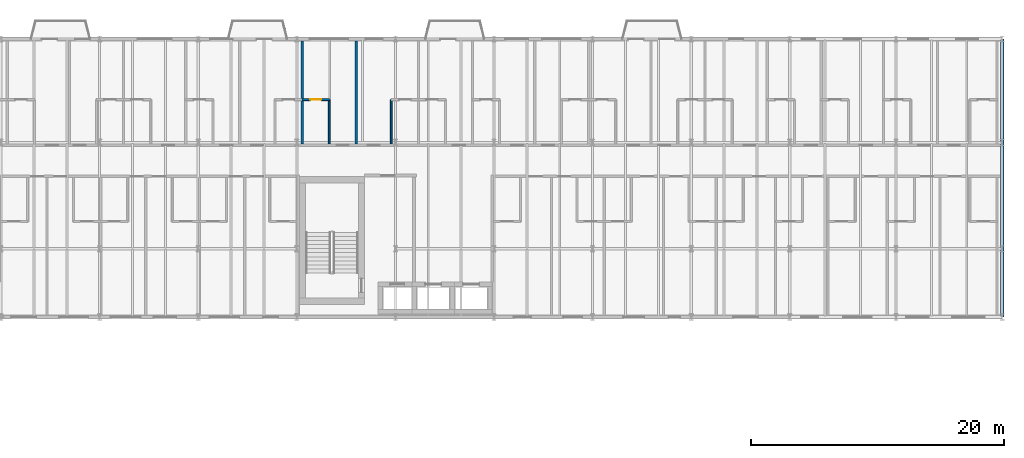
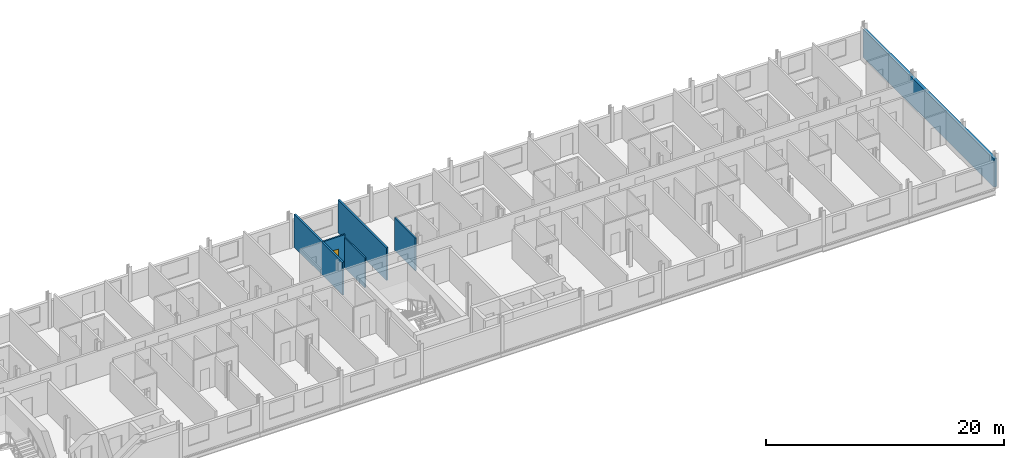
# One storey, part 28 of 34: 6 walls, 1 door, 1 opening.
"""IFC4 building model written with IfcOpenShell, lengths in metres."""

from ifc_helpers import new_model, si_unit, direction, frame, frame_2d, origin, place, context, subcontext, project, spatial, rectangle, extrude, material, layer, layer_set, type_object, element, fill, save


model = new_model("IFC4")

# Units and contexts
model_context = context("Model", 3, precision=1e-05, world=origin(), true_north=direction((0.0, 1.0)))
body_context = subcontext(model_context, "Body", "Model", "MODEL_VIEW")
ifc_project = project(units=[si_unit("LENGTHUNIT", "METRE"), si_unit("AREAUNIT", "SQUARE_METRE"), si_unit("VOLUMEUNIT", "CUBIC_METRE"), si_unit("PLANEANGLEUNIT", "RADIAN"), si_unit("MASSUNIT", "GRAM", prefix="KILO")], contexts=[model_context])

# Site, building, storey
site_placement = place(None, origin())
site = spatial("IfcSite", under=ifc_project, at=site_placement, CompositionType="ELEMENT")
building_placement = place(site_placement, origin())
building = spatial("IfcBuilding", under=site, at=building_placement, Name="Sefraquen Railside Congress Hotel", CompositionType="ELEMENT")
storey_placement = place(building_placement, frame((0.0, 0.0, 31.800048828125)))
storey = spatial("IfcBuildingStorey", under=building, at=storey_placement, Name="L07", CompositionType="ELEMENT", Elevation=31.800048828125)

# Walls
ifc_material_1 = material(Name="Ochre Rabat calcarenite limestone and Concrete C40/50 backing", Category="masonry")
ifc_layer_1 = layer(ifc_material_1, 0.280029296875)
ifc_layer_set_1 = layer_set([ifc_layer_1], Name="Ochre Rabat calcarenite limestone and Concrete C40/50 backing")
wall_type_1 = type_object("IfcWallType", Name="TW-EW-280", PredefinedType="STANDARD", material=ifc_layer_set_1)
wall_1_placement = place(storey_placement, frame((120.0, 96.0, 0.0), z_axis=(0.0, 0.0, 1.0), x_axis=(0.0, 1.0, 0.0)))
element("IfcWall", 1, at=wall_1_placement, inside=storey, type_object=wall_type_1, Name="Hotel L07 east gable facade wall", PredefinedType="STANDARD", context=body_context, shape_type="SweptSolid", body=[
    extrude(rectangle(XDim=22.0, YDim=0.280029296875, at=frame_2d((11.0, 0.0))), origin(), (0.0, 0.0, 1.0), 2.909912109375),
])
ifc_material_2 = material(Name="Moisture-resistant gypsum board", Category="gypsum")
ifc_layer_2 = layer(ifc_material_2, 0.139892578125)
ifc_layer_set_2 = layer_set([ifc_layer_2], Name="Moisture-resistant gypsum board")
wall_type_2 = type_object("IfcWallType", Name="TW-PW-140", PredefinedType="PARTITIONING", material=ifc_layer_set_2)
wall_2_placement = place(storey_placement, frame((66.77001953125, 109.699951171875, 0.0), z_axis=(0.0, 0.0, 1.0), x_axis=(0.0, 1.0, 0.0)))
element("IfcWall", 2, at=wall_2_placement, inside=storey, type_object=wall_type_2, Name="En-suite bathroom east wall RM-010", PredefinedType="PARTITIONING", context=body_context, shape_type="SweptSolid", body=[
    extrude(rectangle(XDim=3.5, YDim=0.139892578125, at=frame_2d((1.75, 0.0))), origin(), (0.0, 0.0, 1.0), 3.050048828125),
])

# Wall, opening, door
wall_3_placement = place(storey_placement, frame((64.6201171875, 113.199951171875, 0.0), z_axis=(0.0, 0.0, 1.0), x_axis=(1.0, 0.0, 0.0)))
wall_3 = element("IfcWall", 3, at=wall_3_placement, inside=storey, type_object=wall_type_2, Name="En-suite bathroom north wall RM-010", PredefinedType="PARTITIONING", context=body_context, shape_type="SweptSolid", body=[
    extrude(rectangle(XDim=2.14990234375, YDim=0.139892578125, at=frame_2d((1.074951171875, 0.0))), origin(), (0.0, 0.0, 1.0), 3.35986328125),
])
opening_placement = place(wall_3_placement, frame((0.625, 0.0, 0.0)))
opening = element("IfcOpeningElement", 4, at=opening_placement, cuts=wall_3, Name="Opening ID-02", PredefinedType="OPENING", context=body_context, shape_type="SweptSolid", body=[
    extrude(rectangle(XDim=0.89990234375, YDim=2.10009765625, at=frame_2d((0.449951171875, 1.050048828125))), frame((0.0, 0.079833984375, 0.0), z_axis=(0.0, -1.0, 0.0), x_axis=(1.0, 0.0, 0.0)), (0.0, 0.0, 1.0), 0.159912109375),
])
ifc_material_3 = material(Name="Lacquered cedar joinery", Category="wood")
door_type = type_object("IfcDoorType", Name="TD-ID-02", OperationType="NOTDEFINED", PredefinedType="DOOR", material=ifc_material_3)
door_placement = place(opening_placement, origin())
door = element("IfcDoor", 5, at=door_placement, inside=storey, type_object=door_type, Name="En-suite bathroom door RM-010", OperationType="SINGLE_SWING_LEFT", OverallHeight=2.10009765625, OverallWidth=0.89990234375, PredefinedType="DOOR", context=body_context, shape_type="SweptSolid", body=[
    extrude(rectangle(XDim=0.89990234375, YDim=2.10009765625, at=frame_2d((0.449951171875, 1.050048828125))), frame((0.0, 0.02490234375, 0.0), z_axis=(0.0, -1.0, 0.0), x_axis=(1.0, 0.0, 0.0)), (0.0, 0.0, 1.0), 0.050048828125),
])
fill(opening, door)

# Walls
wall_4_placement = place(storey_placement, frame((71.669921875, 109.699951171875, 0.0), z_axis=(0.0, 0.0, 1.0), x_axis=(0.0, 1.0, 0.0)))
element("IfcWall", 6, at=wall_4_placement, inside=storey, type_object=wall_type_2, Name="En-suite bathroom west wall RM-011", PredefinedType="PARTITIONING", context=body_context, shape_type="SweptSolid", body=[
    extrude(rectangle(XDim=3.5, YDim=0.139892578125, at=frame_2d((1.75, 0.0))), origin(), (0.0, 0.0, 1.0), 3.35986328125),
])
ifc_material_4 = material(Name="Acoustic gypsum board on metal stud", Category="gypsum")
ifc_layer_3 = layer(ifc_material_4, 0.179931640625)
ifc_layer_set_3 = layer_set([ifc_layer_3], Name="Acoustic gypsum board on metal stud")
wall_type_3 = type_object("IfcWallType", Name="TW-PW-180", PredefinedType="PARTITIONING", material=ifc_layer_set_3)
for number, where, z_axis, x_axis, name in (
    (7, (64.6201171875, 109.699951171875, 0.0), (0.0, 0.0, 1.0), (0.0, 1.0, 0.0), "Guest room demising wall RM-009"),
    (8, (68.889892578125, 109.699951171875, 0.0), (0.0, 0.0, 1.0), (0.0, 1.0, 0.0), "Guest room demising wall RM-010"),
):
    element("IfcWall", number, at=place(storey_placement, frame(where, z_axis=z_axis, x_axis=x_axis)), inside=storey, type_object=wall_type_3, Name=name, PredefinedType="PARTITIONING", context=body_context, shape_type="SweptSolid", body=[
        extrude(rectangle(XDim=8.150146484375, YDim=0.179931640625, at=frame_2d((4.0751953125, 0.0))), origin(), (0.0, 0.0, 1.0), 3.35986328125),
    ])

save(model, "model.ifc")
